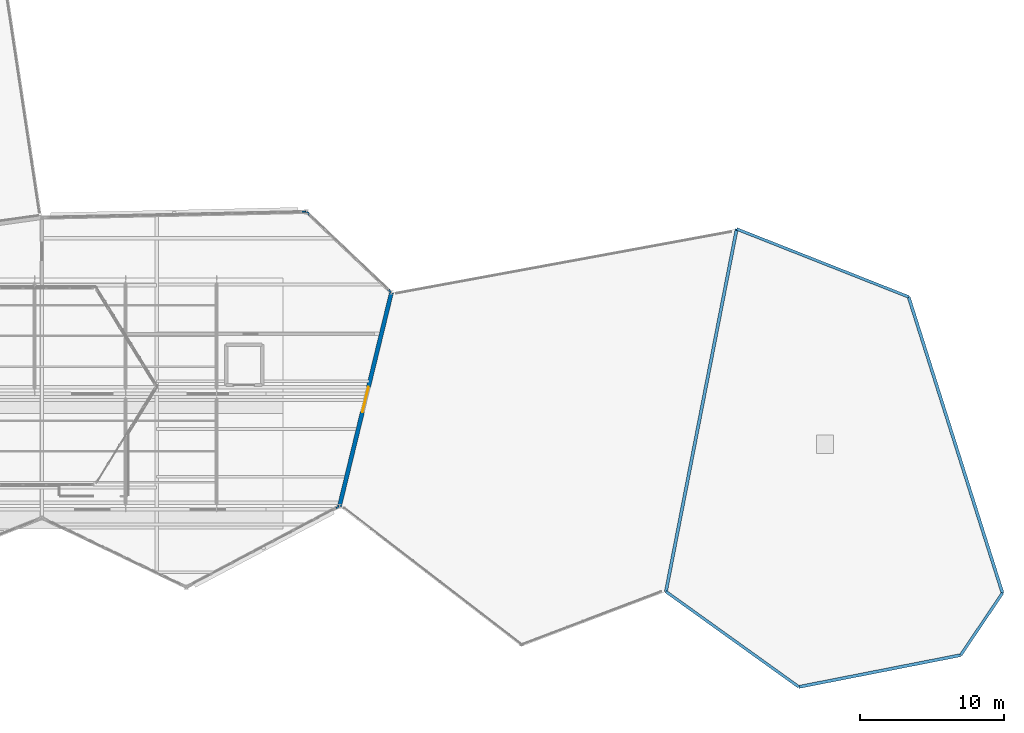
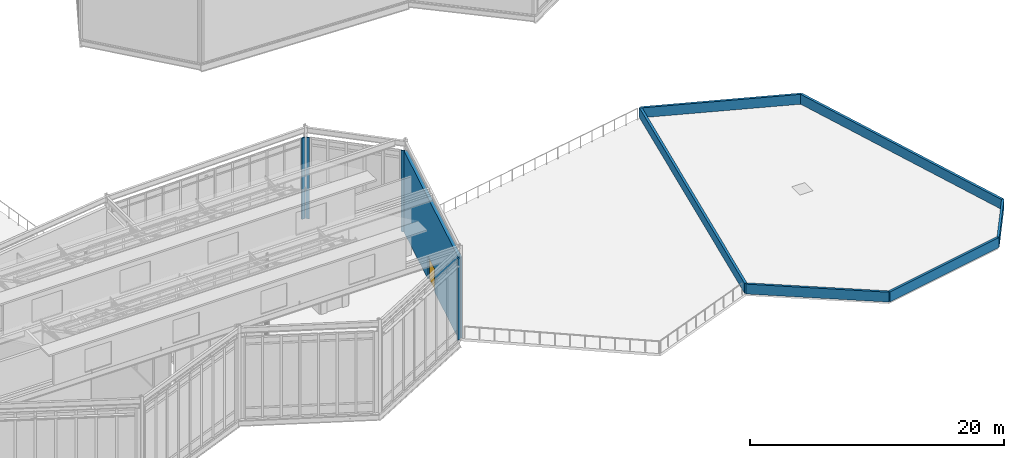
# One storey, part 57 of 66: 11 walls, 1 door, 1 opening.
"""IFC4 building model written with IfcOpenShell, lengths in metres."""

from ifc_helpers import new_model, si_unit, direction, frame, frame_2d, origin, place, context, subcontext, project, spatial, rectangle, extrude, material, layer, layer_set, type_object, element, fill, save


model = new_model("IFC4")

# Units and contexts
model_context = context("Model", 3, precision=1e-05, world=origin(), true_north=direction((0.0, 1.0)))
body_context = subcontext(model_context, "Body", "Model", "MODEL_VIEW")
ifc_project = project(units=[si_unit("LENGTHUNIT", "METRE"), si_unit("AREAUNIT", "SQUARE_METRE"), si_unit("VOLUMEUNIT", "CUBIC_METRE"), si_unit("PLANEANGLEUNIT", "RADIAN"), si_unit("MASSUNIT", "GRAM", prefix="KILO")], contexts=[model_context])

# Site, building, storey
site_placement = place(None, origin())
site = spatial("IfcSite", under=ifc_project, at=site_placement, CompositionType="ELEMENT")
building_placement = place(site_placement, origin())
building = spatial("IfcBuilding", under=site, at=building_placement, Name="Tameran Prism Museum", CompositionType="ELEMENT")
storey_placement = place(building_placement, frame((0.0, 0.0, 19.800048828125)))
storey = spatial("IfcBuildingStorey", under=building, at=storey_placement, Name="L04", CompositionType="ELEMENT", Elevation=19.800048828125)

# Walls
ifc_material_1 = material(Name="Precast Concrete N40 (40 MPa)", Category="concrete")
ifc_layer_1 = layer(ifc_material_1, 0.094970703125)
ifc_layer_set_1 = layer_set([ifc_layer_1])
wall_type_1 = type_object("IfcWallType", Name="EW-CLOS-095", PredefinedType="SOLIDWALL", material=ifc_layer_set_1)
wall_1_placement = place(storey_placement, frame((98.06298828125, 28.179931640625, 0.0), z_axis=(0.0, 0.0, 1.0), x_axis=(-0.885348834604, -0.464927350308, 0.0)))
element("IfcWall", 1, at=wall_1_placement, inside=storey, type_object=wall_type_1, Name="Facade Corner Closure EW-0447", PredefinedType="SOLIDWALL", context=body_context, shape_type="SweptSolid", body=[
    extrude(rectangle(XDim=0.30712890625, YDim=0.094970703125, at=frame_2d((0.153564453125, 0.0))), origin(), (0.0, 0.0, 1.0), 7.820068359375),
])
for number, where, z_axis, x_axis, name in (
    (2, (95.830078125, 48.571044921875, 0.0), (0.0, 0.0, 1.0), (0.725848676719, -0.687854416651, 0.0), "Facade Corner Closure EW-0450"),
    (3, (101.446044921875, 43.240966796875, 0.0), (0.0, 0.0, 1.0), (0.726243974232, -0.687437044311, 0.0), "Facade Corner Closure EW-0451"),
):
    element("IfcWall", number, at=place(storey_placement, frame(where, z_axis=z_axis, x_axis=x_axis)), inside=storey, type_object=wall_type_1, Name=name, PredefinedType="SOLIDWALL", context=body_context, shape_type="SweptSolid", body=[
        extrude(rectangle(XDim=0.308349609375, YDim=0.094970703125, at=frame_2d((0.154296875, 0.0))), origin(), (0.0, 0.0, 1.0), 7.820068359375),
    ])
wall_2_placement = place(storey_placement, frame((95.449951171875, 48.592041015625, 0.0), z_axis=(0.0, 0.0, 1.0), x_axis=(0.999736078158, 0.022973333016, 0.0)))
element("IfcWall", 4, at=wall_2_placement, inside=storey, type_object=wall_type_1, Name="Facade Corner Closure EW-0453", PredefinedType="SOLIDWALL", context=body_context, shape_type="SweptSolid", body=[
    extrude(rectangle(XDim=0.30810546875, YDim=0.094970703125, at=frame_2d((0.154052734375, 0.0))), origin(), (0.0, 0.0, 1.0), 7.820068359375),
])

# Wall, opening, door
ifc_material_2 = material(Name="Precast Concrete N40 (40 MPa)", Category="concrete")
ifc_layer_2 = layer(ifc_material_2, 0.2900390625)
ifc_layer_set_2 = layer_set([ifc_layer_2])
wall_type_2 = type_object("IfcWallType", Name="EW-FOY-290", PredefinedType="SOLIDWALL", material=ifc_layer_set_2)
wall_3_placement = place(storey_placement, frame((101.699951171875, 43.0, 0.0), z_axis=(0.0, 0.0, 1.0), x_axis=(-0.236341762997, -0.971669990822, 0.0)))
wall_3 = element("IfcWall", 5, at=wall_3_placement, inside=storey, type_object=wall_type_2, Name="Exterior Fluted Precast Wall EW-0449", PredefinedType="SOLIDWALL", context=body_context, shape_type="SweptSolid", body=[
    extrude(rectangle(XDim=15.2314453125, YDim=0.2900390625, at=frame_2d((7.61572265625, 0.0))), origin(), (0.0, 0.0, 1.0), 7.820068359375),
])
opening_placement = place(wall_3_placement, frame((6.716064453125, 0.0, 0.0)))
opening = element("IfcOpeningElement", 6, at=opening_placement, cuts=wall_3, Name="Opening TD-22", PredefinedType="OPENING", context=body_context, shape_type="SweptSolid", body=[
    extrude(rectangle(XDim=1.800048828125, YDim=2.25, at=frame_2d((0.89990234375, 1.125))), frame((0.0, 0.155029296875, 0.0), z_axis=(0.0, -1.0, 0.0), x_axis=(1.0, 0.0, 0.0)), (0.0, 0.0, 1.0), 0.31005859375),
])
ifc_material_3 = material(Name="Cyclone-Rated Anodised Aluminium 6063-T6 and Laminated Glass", Category="aluminium")
door_type = type_object("IfcDoorType", Name="DR-TER-180", OperationType="DOUBLE_DOOR_SINGLE_SWING", PredefinedType="DOOR", material=ifc_material_3)
door_placement = place(opening_placement, origin())
door = element("IfcDoor", 7, at=door_placement, inside=storey, type_object=door_type, Name="Terrace Access Door TD-22", OperationType="DOUBLE_DOOR_SINGLE_SWING", OverallHeight=2.25, OverallWidth=1.800048828125, PredefinedType="DOOR", context=body_context, shape_type="SweptSolid", body=[
    extrude(rectangle(XDim=1.800048828125, YDim=2.25, at=frame_2d((0.89990234375, 1.125))), frame((0.0, 0.02490234375, 0.0), z_axis=(0.0, -1.0, 0.0), x_axis=(1.0, 0.0, 0.0)), (0.0, 0.0, 1.0), 0.050048828125),
])
fill(opening, door)

# Walls
ifc_material_4 = material(Name="Precast Concrete N40 (40 MPa)", Category="concrete")
ifc_layer_3 = layer(ifc_material_4, 0.195068359375)
ifc_layer_set_3 = layer_set([ifc_layer_3])
wall_type_3 = type_object("IfcWallType", Name="EW-PAR-195", PredefinedType="PARAPET", material=ifc_layer_set_3)
wall_4_placement = place(storey_placement, frame((137.5, 42.699951171875, 0.0), z_axis=(0.0, 0.0, 1.0), x_axis=(-0.93008523402, 0.36734378647, 0.0)))
element("IfcWall", 8, at=wall_4_placement, inside=storey, type_object=wall_type_3, Name="Roof Parapet EP-015", PredefinedType="PARAPET", context=body_context, shape_type="SweptSolid", body=[
    extrude(rectangle(XDim=12.79443359375, YDim=0.195068359375, at=frame_2d((6.397216796875, 0.0))), origin(), (0.0, 0.0, 1.0), 0.949951171875),
])
wall_5_placement = place(storey_placement, frame((120.699951171875, 22.300048828125, 0.0), z_axis=(0.0, 0.0, 1.0), x_axis=(0.812532700231, -0.582915612293, 0.0)))
element("IfcWall", 9, at=wall_5_placement, inside=storey, type_object=wall_type_3, Name="Roof Parapet EP-017", PredefinedType="PARAPET", context=body_context, shape_type="SweptSolid", body=[
    extrude(rectangle(XDim=11.322509765625, YDim=0.195068359375, at=frame_2d((5.6611328125, 0.0))), origin(), (0.0, 0.0, 1.0), 0.949951171875),
])
wall_6_placement = place(storey_placement, frame((141.10009765625, 17.89990234375, 0.0), z_axis=(0.0, 0.0, 1.0), x_axis=(0.559124361662, 0.829083800467, 0.0)))
element("IfcWall", 10, at=wall_6_placement, inside=storey, type_object=wall_type_3, Name="Roof Parapet EP-019", PredefinedType="PARAPET", context=body_context, shape_type="SweptSolid", body=[
    extrude(rectangle(XDim=5.1865234375, YDim=0.195068359375, at=frame_2d((2.59326171875, 0.0))), origin(), (0.0, 0.0, 1.0), 0.949951171875),
])
ifc_material_5 = material(Name="Precast Concrete N40 (40 MPa)", Category="concrete")
ifc_layer_4 = layer(ifc_material_5, 0.215087890625)
ifc_layer_set_4 = layer_set([ifc_layer_4])
wall_type_4 = type_object("IfcWallType", Name="EW-PAR-215", PredefinedType="PARAPET", material=ifc_layer_set_4)
wall_7_placement = place(storey_placement, frame((125.60009765625, 47.39990234375, 0.0), z_axis=(0.0, 0.0, 1.0), x_axis=(-0.191608827438, -0.981471373626, 0.0)))
element("IfcWall", 11, at=wall_7_placement, inside=storey, type_object=wall_type_4, Name="Roof Parapet EP-016", PredefinedType="PARAPET", context=body_context, shape_type="SweptSolid", body=[
    extrude(rectangle(XDim=25.57373046875, YDim=0.215087890625, at=frame_2d((12.786865234375, 0.0))), origin(), (0.0, 0.0, 1.0), 0.949951171875),
])
wall_8_placement = place(storey_placement, frame((129.89990234375, 15.699951171875, 0.0), z_axis=(0.0, 0.0, 1.0), x_axis=(0.981250265265, 0.192737948825, 0.0)))
element("IfcWall", 12, at=wall_8_placement, inside=storey, type_object=wall_type_4, Name="Roof Parapet EP-018", PredefinedType="PARAPET", context=body_context, shape_type="SweptSolid", body=[
    extrude(rectangle(XDim=11.414306640625, YDim=0.215087890625, at=frame_2d((5.70703125, 0.0))), origin(), (0.0, 0.0, 1.0), 0.949951171875),
])
wall_9_placement = place(storey_placement, frame((144.0, 22.199951171875, 0.0), z_axis=(0.0, 0.0, 1.0), x_axis=(-0.302243860734, 0.953230637699, 0.0)))
element("IfcWall", 13, at=wall_9_placement, inside=storey, type_object=wall_type_4, Name="Roof Parapet EP-020", PredefinedType="PARAPET", context=body_context, shape_type="SweptSolid", body=[
    extrude(rectangle(XDim=21.505859375, YDim=0.215087890625, at=frame_2d((10.7529296875, 0.0))), origin(), (0.0, 0.0, 1.0), 0.949951171875),
])

save(model, "model.ifc")
